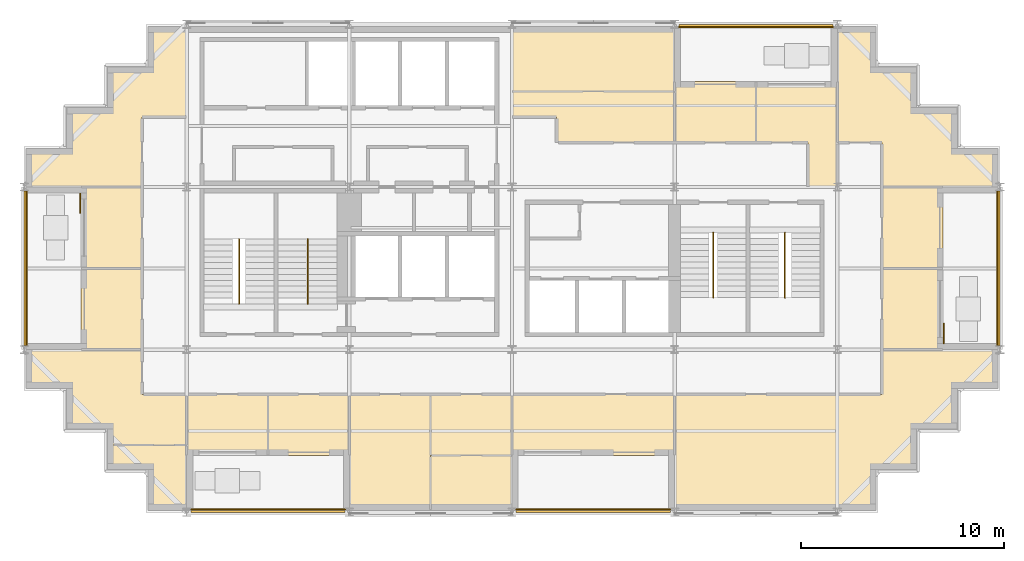
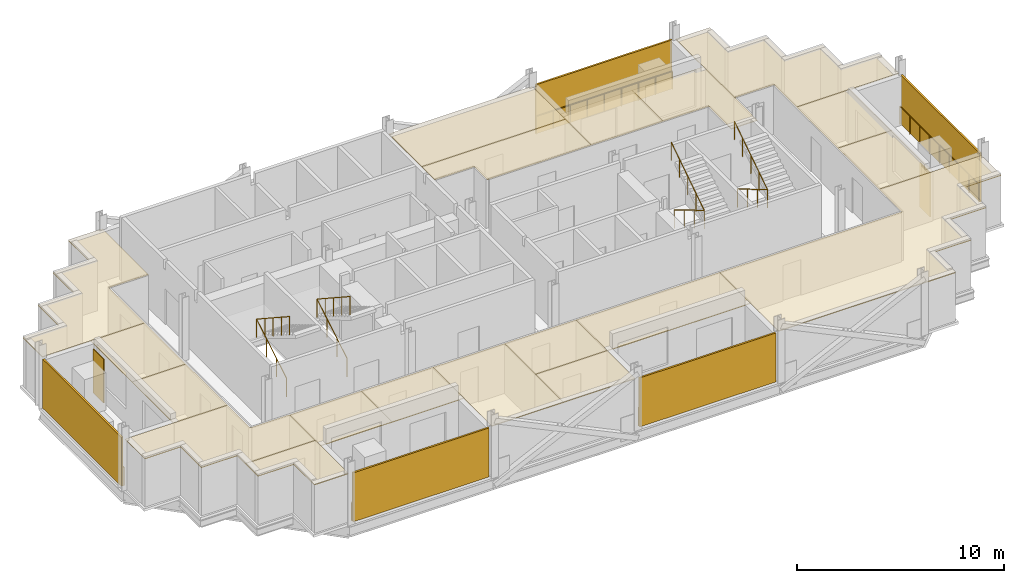
# One storey, part 9 of 10: 19 coverings, 9 railings, 7 shading devices.
"""IFC4 building model written with IfcOpenShell, lengths in metres."""

import ifcopenshell
import ifcopenshell.guid

model = None  # the IFC model being written
_history = None  # IfcOwnerHistory: only IFC2X3 demands one
_inside = {}  # id of a spatial element -> (the spatial element, [elements in it])
_under = {}  # id of a project, library or spatial element -> (it, [spatial elements below it])
_declared = {}  # id of a project -> (the project, [libraries it declares])
_typed = {}  # id of a type object -> (the type object, [elements of that type])
_made_of = {}  # id of a material, layer set ... -> (it, [elements and type objects made of it])


def new_model(schema):
    """Start an empty IFC model of exactly this schema.

    Asked for "IFC4X3", IfcOpenShell would pick the latest addendum, in which some entities
    have other attributes; the version numbers below select the first issue.
    IFC2X3 requires an IfcOwnerHistory on every rooted entity: one is made here for all.
    """
    global model, _history
    if schema == "IFC4X3":
        model = ifcopenshell.file(schema_version=(4, 3, 0, 0))
    else:
        model = ifcopenshell.file(schema=schema)
    _inside.clear()
    _under.clear()
    _declared.clear()
    _typed.clear()
    _made_of.clear()
    _history = None
    if model.schema == "IFC2X3":
        org = make("IfcOrganization", Name="unknown")
        user = make(
            "IfcPersonAndOrganization",
            ThePerson=make("IfcPerson", FamilyName="unknown"),
            TheOrganization=org,
        )
        app = make(
            "IfcApplication",
            ApplicationDeveloper=org,
            Version="unknown",
            ApplicationFullName="unknown",
            ApplicationIdentifier="unknown",
        )
        _history = make(
            "IfcOwnerHistory",
            OwningUser=user,
            OwningApplication=app,
            ChangeAction="ADDED",
            CreationDate=0,
        )
    return model


def make(cls, **values):
    """One entity of the class cls with the attributes given. An attribute that is None is left unset."""
    return model.create_entity(
        cls, **{name: value for name, value in values.items() if value is not None}
    )


def rooted(cls, **values):
    """An entity with a GlobalId (a new one), such as an element, a storey or a relation."""
    return make(cls, GlobalId=ifcopenshell.guid.new(), OwnerHistory=_history, **values)


def si_unit(unit_type, name, prefix=None):
    """IfcSIUnit, for example si_unit("LENGTHUNIT", "METRE", prefix="MILLI")."""
    return make("IfcSIUnit", UnitType=unit_type, Prefix=prefix, Name=name)


def assignment(units):
    """IfcUnitAssignment: the units of a project."""
    return None if units is None else make("IfcUnitAssignment", Units=units)


def point(xyz):
    """IfcCartesianPoint."""
    return None if xyz is None else make("IfcCartesianPoint", Coordinates=xyz)


def direction(xyz):
    """IfcDirection."""
    return None if xyz is None else make("IfcDirection", DirectionRatios=xyz)


def frame(location, z_axis=None, x_axis=None):
    """IfcAxis2Placement3D, a coordinate frame: its origin and axes. An axis left out is left unset."""
    return make(
        "IfcAxis2Placement3D",
        Location=point(location),
        Axis=direction(z_axis),
        RefDirection=direction(x_axis),
    )


def frame_2d(location, x_axis=None):
    """IfcAxis2Placement2D, a coordinate frame in the plane: its origin and x axis."""
    return make(
        "IfcAxis2Placement2D", Location=point(location), RefDirection=direction(x_axis)
    )


def origin():
    """The frame at (0, 0, 0) with its axes left unset."""
    return frame((0.0, 0.0, 0.0))


def origin_2d():
    """The frame at (0, 0) in the plane with its x axis left unset."""
    return frame_2d((0.0, 0.0))


def place(relative_to, where):
    """IfcLocalPlacement: puts the frame where relative to a parent placement (None: the world)."""
    return make(
        "IfcLocalPlacement", PlacementRelTo=relative_to, RelativePlacement=where
    )


def context(
    kind, dimensions, precision=None, world=None, true_north=None, identifier=None
):
    """IfcGeometricRepresentationContext, for example the 3D "Model" context."""
    return make(
        "IfcGeometricRepresentationContext",
        ContextIdentifier=identifier,
        ContextType=kind,
        CoordinateSpaceDimension=dimensions,
        Precision=precision,
        WorldCoordinateSystem=world,
        TrueNorth=true_north,
    )


def subcontext(parent, identifier, kind, view, scale=None):
    """IfcGeometricRepresentationSubContext, for example "Body" below "Model"."""
    return make(
        "IfcGeometricRepresentationSubContext",
        ContextIdentifier=identifier,
        ContextType=kind,
        ParentContext=parent,
        TargetScale=scale,
        TargetView=view,
    )


def project(units=None, contexts=None):
    """IfcProject with its units and contexts."""
    return rooted(
        "IfcProject",
        Name="project",
        RepresentationContexts=contexts,
        UnitsInContext=assignment(units),
    )


def spatial(cls, under=None, at=None, **own):
    """A site, building, storey or space (cls), placed at a placement, below another one or the project."""
    s = rooted(cls, ObjectPlacement=at, **own)
    if under is not None:
        _under.setdefault(under.id(), (under, []))[1].append(s)
    return s


def polyline(points):
    """IfcPolyline through the points."""
    return make("IfcPolyline", Points=[point(p) for p in points])


def profile(cls, at=None, kind="AREA", **sizes):
    """A parametric profile (cls). Its sizes go by their IFC names, for example OverallWidth=200.0."""
    return make(cls, ProfileType=kind, Position=at, **sizes)


def rectangle(**sizes):
    """IfcRectangleProfileDef."""
    return profile("IfcRectangleProfileDef", **sizes)


def circle(**sizes):
    """IfcCircleProfileDef."""
    return profile("IfcCircleProfileDef", **sizes)


def outline(outer, holes=None, kind="AREA"):
    """IfcArbitraryClosedProfileDef: a profile drawn as a closed curve; with holes, ...WithVoids."""
    if holes is None:
        return make("IfcArbitraryClosedProfileDef", ProfileType=kind, OuterCurve=outer)
    return make(
        "IfcArbitraryProfileDefWithVoids",
        ProfileType=kind,
        OuterCurve=outer,
        InnerCurves=holes,
    )


def extrude(swept, where, along, depth):
    """IfcExtrudedAreaSolid: the profile swept, set in the frame where, extruded along a direction by depth."""
    return make(
        "IfcExtrudedAreaSolid",
        SweptArea=swept,
        Position=where,
        ExtrudedDirection=direction(along),
        Depth=depth,
    )


def shape(context_of_items, identifier, shape_type, items):
    """IfcShapeRepresentation: the items that make up one representation, for example the "Body"."""
    return make(
        "IfcShapeRepresentation",
        ContextOfItems=context_of_items,
        RepresentationIdentifier=identifier,
        RepresentationType=shape_type,
        Items=items,
    )


def material(Name=None, Category=None):
    """IfcMaterial."""
    return make("IfcMaterial", Name=Name, Category=Category)


def layer(
    of_material, thickness, ventilated=None, Name=None, Category=None, Priority=None
):
    """IfcMaterialLayer: one layer of a wall or slab, of a material (None: an air gap)."""
    return make(
        "IfcMaterialLayer",
        Material=of_material,
        LayerThickness=thickness,
        IsVentilated=ventilated,
        Name=Name,
        Category=Category,
        Priority=Priority,
    )


def layer_set(layers, Name=None):
    """IfcMaterialLayerSet."""
    return make("IfcMaterialLayerSet", MaterialLayers=layers, LayerSetName=Name)


def made_of(thing, what):
    """Note that an element or type object is made of a material, layer set ...; save() writes the relation."""
    if what is not None:
        _made_of.setdefault(what.id(), (what, []))[1].append(thing)
    return thing


def type_object(cls, material=None, **own):
    """A type object (cls), such as IfcWallType, which elements share."""
    return made_of(rooted(cls, **own), material)


def element(
    cls,
    number,
    at=None,
    inside=None,
    cuts=None,
    type_object=None,
    material=None,
    context=None,
    identifier="Body",
    shape_type=None,
    held_by="IfcProductDefinitionShape",
    body=None,
    shapes=None,
    **own,
):
    """One element of the class cls, such as IfcWall. Its Tag is "e" and its number.

    at: its placement. inside: the storey or other place that contains it. cuts: it is an
    opening in that element (IfcRelVoidsElement). A single representation is given by context,
    identifier, shape_type and body (its items); several are given by shapes. held_by: the class
    of the entity that holds the representations. save() writes the other relations.
    """
    e = rooted(cls, Tag="e%d" % number, ObjectPlacement=at, **own)
    if body is not None:
        shapes = [shape(context, identifier, shape_type, body)]
    if shapes is not None:
        e.Representation = make(held_by, Representations=shapes)
    if inside is not None:
        _inside.setdefault(inside.id(), (inside, []))[1].append(e)
    if cuts is not None:
        rooted(
            "IfcRelVoidsElement", RelatingBuildingElement=cuts, RelatedOpeningElement=e
        )
    if type_object is not None:
        _typed.setdefault(type_object.id(), (type_object, []))[1].append(e)
    return made_of(e, material)


def aggregate(whole, parts):
    """IfcRelAggregates: a whole, such as a stair, and the parts it consists of."""
    return rooted("IfcRelAggregates", RelatingObject=whole, RelatedObjects=parts)


def save(model, path):
    """Write the relations noted so far, then the file.

    IfcRelAggregates (storeys below a building ...), IfcRelContainedInSpatialStructure (elements
    in a storey), IfcRelDefinesByType, IfcRelAssociatesMaterial and IfcRelDeclares: one each for
    every whole, place, type object, material and project.
    """
    for whole, parts in _under.values():
        aggregate(whole, parts)
    for where, things in _inside.values():
        rooted(
            "IfcRelContainedInSpatialStructure",
            RelatedElements=things,
            RelatingStructure=where,
        )
    for kind, things in _typed.values():
        rooted("IfcRelDefinesByType", RelatedObjects=things, RelatingType=kind)
    for what, things in _made_of.values():
        rooted("IfcRelAssociatesMaterial", RelatedObjects=things, RelatingMaterial=what)
    for by, libraries in _declared.values():
        rooted("IfcRelDeclares", RelatingContext=by, RelatedDefinitions=libraries)
    model.write(path)


model = new_model("IFC4")

# Units and contexts
model_context = context("Model", 3, precision=1e-05, world=origin(), true_north=direction((0.0, 1.0)))
body_context = subcontext(model_context, "Body", "Model", "MODEL_VIEW")
ifc_project = project(units=[si_unit("LENGTHUNIT", "METRE"), si_unit("AREAUNIT", "SQUARE_METRE"), si_unit("VOLUMEUNIT", "CUBIC_METRE"), si_unit("PLANEANGLEUNIT", "RADIAN"), si_unit("MASSUNIT", "GRAM", prefix="KILO")], contexts=[model_context])

# Site, building, storey
site_placement = place(None, origin())
site = spatial("IfcSite", under=ifc_project, at=site_placement, CompositionType="ELEMENT")
building_placement = place(site_placement, origin())
building = spatial("IfcBuilding", under=site, at=building_placement, Name="Immortelle Media Tower", CompositionType="ELEMENT")
storey_placement = place(building_placement, frame((0.0, 0.0, 237.0)))
storey = spatial("IfcBuildingStorey", under=building, at=storey_placement, Name="L51", CompositionType="ELEMENT", Elevation=237.0)

# Railings
ifc_material_1 = material(Name="Powder-coated aluminium fretwork panel, laminated glass backing", Category="aluminium")
railing_type_1 = type_object("IfcRailingType", Name="Fretwork balustrade 1100", PredefinedType="BALUSTRADE", material=ifc_material_1)
railing_1_placement = place(storey_placement, frame((8.199462890625, 0.139892578125, 0.0)))
element("IfcRailing", 1, at=railing_1_placement, inside=storey, type_object=railing_type_1, Name="Fretwork balustrade L51 S0", PredefinedType="BALUSTRADE", context=body_context, shape_type="SweptSolid", body=[
    extrude(circle(Radius=0.02490234375, at=origin_2d()), frame((0.0, 0.0, 1.0751953125), z_axis=(1.0, 0.0, 0.0), x_axis=(0.0, 1.0, 0.0)), (0.0, 0.0, 1.0), 7.59765625),
    extrude(circle(Radius=0.02001953125, at=origin_2d()), origin(), (0.0, 0.0, 1.0), 1.050048828125),
    extrude(circle(Radius=0.02001953125, at=origin_2d()), frame((0.94970703125, 0.0, 0.0)), (0.0, 0.0, 1.0), 1.050048828125),
    extrude(circle(Radius=0.02001953125, at=origin_2d()), frame((1.8994140625, 0.0, 0.0)), (0.0, 0.0, 1.0), 1.050048828125),
    extrude(circle(Radius=0.02001953125, at=origin_2d()), frame((2.84912109375, 0.0, 0.0)), (0.0, 0.0, 1.0), 1.050048828125),
    extrude(circle(Radius=0.02001953125, at=origin_2d()), frame((3.798828125, 0.0, 0.0)), (0.0, 0.0, 1.0), 1.050048828125),
    extrude(circle(Radius=0.02001953125, at=origin_2d()), frame((4.74853515625, 0.0, 0.0)), (0.0, 0.0, 1.0), 1.050048828125),
    extrude(circle(Radius=0.02001953125, at=origin_2d()), frame((5.6982421875, 0.0, 0.0)), (0.0, 0.0, 1.0), 1.050048828125),
    extrude(circle(Radius=0.02001953125, at=origin_2d()), frame((6.64794921875, 0.0, 0.0)), (0.0, 0.0, 1.0), 1.050048828125),
    extrude(circle(Radius=0.02001953125, at=origin_2d()), frame((7.59765625, 0.0, 0.0)), (0.0, 0.0, 1.0), 1.050048828125),
])
railing_2_placement = place(storey_placement, frame((24.202880859375, 0.139892578125, 0.0)))
element("IfcRailing", 2, at=railing_2_placement, inside=storey, type_object=railing_type_1, Name="Fretwork balustrade L51 S2", PredefinedType="BALUSTRADE", context=body_context, shape_type="SweptSolid", body=[
    extrude(circle(Radius=0.02490234375, at=origin_2d()), frame((0.0, 0.0, 1.0751953125), z_axis=(1.0, 0.0, 0.0), x_axis=(0.0, 1.0, 0.0)), (0.0, 0.0, 1.0), 7.59423828125),
    extrude(circle(Radius=0.02001953125, at=origin_2d()), origin(), (0.0, 0.0, 1.0), 1.050048828125),
    extrude(circle(Radius=0.02001953125, at=origin_2d()), frame((0.94921875, 0.0, 0.0)), (0.0, 0.0, 1.0), 1.050048828125),
    extrude(circle(Radius=0.02001953125, at=origin_2d()), frame((1.8984375, 0.0, 0.0)), (0.0, 0.0, 1.0), 1.050048828125),
    extrude(circle(Radius=0.02001953125, at=origin_2d()), frame((2.847900390625, 0.0, 0.0)), (0.0, 0.0, 1.0), 1.050048828125),
    extrude(circle(Radius=0.02001953125, at=origin_2d()), frame((3.797119140625, 0.0, 0.0)), (0.0, 0.0, 1.0), 1.050048828125),
    extrude(circle(Radius=0.02001953125, at=origin_2d()), frame((4.746337890625, 0.0, 0.0)), (0.0, 0.0, 1.0), 1.050048828125),
    extrude(circle(Radius=0.02001953125, at=origin_2d()), frame((5.69580078125, 0.0, 0.0)), (0.0, 0.0, 1.0), 1.050048828125),
    extrude(circle(Radius=0.02001953125, at=origin_2d()), frame((6.64501953125, 0.0, 0.0)), (0.0, 0.0, 1.0), 1.050048828125),
    extrude(circle(Radius=0.02001953125, at=origin_2d()), frame((7.59423828125, 0.0, 0.0)), (0.0, 0.0, 1.0), 1.050048828125),
])
railing_3_placement = place(storey_placement, frame((47.860107421875, 8.193115234375, 0.0)))
element("IfcRailing", 3, at=railing_3_placement, inside=storey, type_object=railing_type_1, Name="Fretwork balustrade L51 E0", PredefinedType="BALUSTRADE", context=body_context, shape_type="SweptSolid", body=[
    extrude(circle(Radius=0.02490234375, at=origin_2d()), frame((0.0, 0.0, 1.0751953125), z_axis=(0.0, 1.0, 0.0), x_axis=(-1.0, 0.0, 0.0)), (0.0, 0.0, 1.0), 7.61376953125),
    extrude(circle(Radius=0.02001953125, at=origin_2d()), origin(), (0.0, 0.0, 1.0), 1.050048828125),
    extrude(circle(Radius=0.02001953125, at=origin_2d()), frame((0.0, 0.95166015625, 0.0)), (0.0, 0.0, 1.0), 1.050048828125),
    extrude(circle(Radius=0.02001953125, at=origin_2d()), frame((0.0, 1.9033203125, 0.0)), (0.0, 0.0, 1.0), 1.050048828125),
    extrude(circle(Radius=0.02001953125, at=origin_2d()), frame((0.0, 2.855224609375, 0.0)), (0.0, 0.0, 1.0), 1.050048828125),
    extrude(circle(Radius=0.02001953125, at=origin_2d()), frame((0.0, 3.806884765625, 0.0)), (0.0, 0.0, 1.0), 1.050048828125),
    extrude(circle(Radius=0.02001953125, at=origin_2d()), frame((0.0, 4.758544921875, 0.0)), (0.0, 0.0, 1.0), 1.050048828125),
    extrude(circle(Radius=0.02001953125, at=origin_2d()), frame((0.0, 5.71044921875, 0.0)), (0.0, 0.0, 1.0), 1.050048828125),
    extrude(circle(Radius=0.02001953125, at=origin_2d()), frame((0.0, 6.662109375, 0.0)), (0.0, 0.0, 1.0), 1.050048828125),
    extrude(circle(Radius=0.02001953125, at=origin_2d()), frame((0.0, 7.61376953125, 0.0)), (0.0, 0.0, 1.0), 1.050048828125),
])
railing_4_placement = place(storey_placement, frame((39.800537109375, 23.860107421875, 0.0)))
element("IfcRailing", 4, at=railing_4_placement, inside=storey, type_object=railing_type_1, Name="Fretwork balustrade L51 N0", PredefinedType="BALUSTRADE", context=body_context, shape_type="SweptSolid", body=[
    extrude(circle(Radius=0.02490234375, at=origin_2d()), frame((0.0, 0.0, 1.0751953125), z_axis=(-1.0, 0.0, 0.0), x_axis=(0.0, -1.0, 0.0)), (0.0, 0.0, 1.0), 7.59765625),
    extrude(circle(Radius=0.02001953125, at=origin_2d()), origin(), (0.0, 0.0, 1.0), 1.050048828125),
    extrude(circle(Radius=0.02001953125, at=origin_2d()), frame((-0.94970703125, 0.0, 0.0)), (0.0, 0.0, 1.0), 1.050048828125),
    extrude(circle(Radius=0.02001953125, at=origin_2d()), frame((-1.8994140625, 0.0, 0.0)), (0.0, 0.0, 1.0), 1.050048828125),
    extrude(circle(Radius=0.02001953125, at=origin_2d()), frame((-2.84912109375, 0.0, 0.0)), (0.0, 0.0, 1.0), 1.050048828125),
    extrude(circle(Radius=0.02001953125, at=origin_2d()), frame((-3.798828125, 0.0, 0.0)), (0.0, 0.0, 1.0), 1.050048828125),
    extrude(circle(Radius=0.02001953125, at=origin_2d()), frame((-4.74853515625, 0.0, 0.0)), (0.0, 0.0, 1.0), 1.050048828125),
    extrude(circle(Radius=0.02001953125, at=origin_2d()), frame((-5.6982421875, 0.0, 0.0)), (0.0, 0.0, 1.0), 1.050048828125),
    extrude(circle(Radius=0.02001953125, at=origin_2d()), frame((-6.64794921875, 0.0, 0.0)), (0.0, 0.0, 1.0), 1.050048828125),
    extrude(circle(Radius=0.02001953125, at=origin_2d()), frame((-7.59765625, 0.0, 0.0)), (0.0, 0.0, 1.0), 1.050048828125),
])
railing_5_placement = place(storey_placement, frame((0.139892578125, 15.806884765625, 0.0)))
element("IfcRailing", 5, at=railing_5_placement, inside=storey, type_object=railing_type_1, Name="Fretwork balustrade L51 W0", PredefinedType="BALUSTRADE", context=body_context, shape_type="SweptSolid", body=[
    extrude(circle(Radius=0.02490234375, at=origin_2d()), frame((0.0, 0.0, 1.0751953125), z_axis=(0.0, -1.0, 0.0), x_axis=(1.0, 0.0, 0.0)), (0.0, 0.0, 1.0), 7.61376953125),
    extrude(circle(Radius=0.02001953125, at=origin_2d()), origin(), (0.0, 0.0, 1.0), 1.050048828125),
    extrude(circle(Radius=0.02001953125, at=origin_2d()), frame((0.0, -0.95166015625, 0.0)), (0.0, 0.0, 1.0), 1.050048828125),
    extrude(circle(Radius=0.02001953125, at=origin_2d()), frame((0.0, -1.9033203125, 0.0)), (0.0, 0.0, 1.0), 1.050048828125),
    extrude(circle(Radius=0.02001953125, at=origin_2d()), frame((0.0, -2.855224609375, 0.0)), (0.0, 0.0, 1.0), 1.050048828125),
    extrude(circle(Radius=0.02001953125, at=origin_2d()), frame((0.0, -3.806884765625, 0.0)), (0.0, 0.0, 1.0), 1.050048828125),
    extrude(circle(Radius=0.02001953125, at=origin_2d()), frame((0.0, -4.758544921875, 0.0)), (0.0, 0.0, 1.0), 1.050048828125),
    extrude(circle(Radius=0.02001953125, at=origin_2d()), frame((0.0, -5.71044921875, 0.0)), (0.0, 0.0, 1.0), 1.050048828125),
    extrude(circle(Radius=0.02001953125, at=origin_2d()), frame((0.0, -6.662109375, 0.0)), (0.0, 0.0, 1.0), 1.050048828125),
    extrude(circle(Radius=0.02001953125, at=origin_2d()), frame((0.0, -7.61376953125, 0.0)), (0.0, 0.0, 1.0), 1.050048828125),
])

# Shading devices
ifc_material_2 = material(Name="Pale aluminium louvre blades", Category="aluminium")
ifc_layer_1 = layer(ifc_material_2, 0.10009765625)
ifc_layer_set_1 = layer_set([ifc_layer_1], Name="Pale aluminium louvre blades")
shading_device_type_1 = type_object("IfcShadingDeviceType", Name="Jalousie screen 100", PredefinedType="JALOUSIE", material=ifc_layer_set_1)
shading_device_1_placement = place(storey_placement, frame((11.998291015625, 0.050048828125, 0.0), z_axis=(0.0, 0.0, 1.0), x_axis=(1.0, 0.0, 0.0)))
element("IfcShadingDevice", 6, at=shading_device_1_placement, inside=storey, type_object=shading_device_type_1, Name="Jalousie screen L51 S0", PredefinedType="JALOUSIE", context=body_context, shape_type="SweptSolid", body=[
    extrude(rectangle(XDim=7.597412109375, YDim=0.10009765625, at=origin_2d()), origin(), (0.0, 0.0, 1.0), 2.89111328125),
])
shading_device_2_placement = place(storey_placement, frame((28.0, 0.050048828125, 0.0), z_axis=(0.0, 0.0, 1.0), x_axis=(1.0, 0.0, 0.0)))
element("IfcShadingDevice", 7, at=shading_device_2_placement, inside=storey, type_object=shading_device_type_1, Name="Jalousie screen L51 S2", PredefinedType="JALOUSIE", context=body_context, shape_type="SweptSolid", body=[
    extrude(rectangle(XDim=7.593994140625, YDim=0.10009765625, at=origin_2d()), origin(), (0.0, 0.0, 1.0), 2.89111328125),
])
shading_device_3_placement = place(storey_placement, frame((47.949951171875, 12.0, 0.0), z_axis=(0.0, 0.0, 1.0), x_axis=(0.0, 1.0, 0.0)))
element("IfcShadingDevice", 8, at=shading_device_3_placement, inside=storey, type_object=shading_device_type_1, Name="Jalousie screen L51 E0", PredefinedType="JALOUSIE", context=body_context, shape_type="SweptSolid", body=[
    extrude(rectangle(XDim=7.614013671875, YDim=0.10009765625, at=origin_2d()), origin(), (0.0, 0.0, 1.0), 2.89111328125),
])
shading_device_4_placement = place(storey_placement, frame((36.001708984375, 23.949951171875, 0.0), z_axis=(0.0, 0.0, 1.0), x_axis=(-1.0, 0.0, 0.0)))
element("IfcShadingDevice", 9, at=shading_device_4_placement, inside=storey, type_object=shading_device_type_1, Name="Jalousie screen L51 N0", PredefinedType="JALOUSIE", context=body_context, shape_type="SweptSolid", body=[
    extrude(rectangle(XDim=7.597412109375, YDim=0.10009765625, at=origin_2d()), origin(), (0.0, 0.0, 1.0), 2.89111328125),
])
shading_device_5_placement = place(storey_placement, frame((0.050048828125, 12.0, 0.0), z_axis=(0.0, 0.0, 1.0), x_axis=(0.0, -1.0, 0.0)))
element("IfcShadingDevice", 10, at=shading_device_5_placement, inside=storey, type_object=shading_device_type_1, Name="Jalousie screen L51 W0", PredefinedType="JALOUSIE", context=body_context, shape_type="SweptSolid", body=[
    extrude(rectangle(XDim=7.614013671875, YDim=0.10009765625, at=origin_2d()), origin(), (0.0, 0.0, 1.0), 2.89111328125),
])
ifc_material_3 = material(Name="Pale aluminium louvre blades in a folding frame", Category="aluminium")
ifc_layer_2 = layer(ifc_material_3, 0.050048828125)
ifc_layer_set_2 = layer_set([ifc_layer_2], Name="Pale aluminium louvre blades in a folding frame")
shading_device_type_2 = type_object("IfcShadingDeviceType", Name="Louvred loggia shutter", PredefinedType="SHUTTER", material=ifc_layer_set_2)
for number, where, z_axis, x_axis, name in (
    (11, (45.22509765625, 8.800048828125, 0.0), (0.0, 0.0, 1.0), (0.0, 1.0, 0.0), "Loggia shutter L51 E0"),
    (12, (2.77490234375, 15.199951171875, 0.0), (0.0, 0.0, 1.0), (0.0, -1.0, 0.0), "Loggia shutter L51 W0"),
):
    element("IfcShadingDevice", number, at=place(storey_placement, frame(where, z_axis=z_axis, x_axis=x_axis)), inside=storey, type_object=shading_device_type_2, Name=name, PredefinedType="SHUTTER", context=body_context, shape_type="SweptSolid", body=[
        extrude(rectangle(XDim=1.0, YDim=0.050048828125, at=origin_2d()), origin(), (0.0, 0.0, 1.0), 2.60009765625),
    ])

# Railings
ifc_material_4 = material(Name="Stainless steel AISI 316", Category="steel")
railing_type_2 = type_object("IfcRailingType", Name="Stair guard 1100", PredefinedType="GUARDRAIL", material=ifc_material_4)
for number, where, name in (
    (13, (10.574951171875, 10.5400390625, 0.173828125), "Stair guard SW1"),
    (14, (13.949951171875, 10.5400390625, 0.173828125), "Stair guard SW2"),
):
    element("IfcRailing", number, at=place(storey_placement, frame(where)), inside=storey, type_object=railing_type_2, Name=name, PredefinedType="GUARDRAIL", context=body_context, shape_type="SweptSolid", body=[
        extrude(circle(Radius=0.02392578125, at=origin_2d()), frame((0.0, 0.0, 1.076171875), z_axis=(0.0, 0.857582100076, 0.514347102285), x_axis=(-1.0, 0.0, 0.0)), (0.0, 0.0, 1.0), 3.381591796875),
        extrude(circle(Radius=0.02392578125, at=origin_2d()), frame((0.0, 2.89990234375, 2.8154296875), z_axis=(0.0, -0.836827423118, 0.547466769693), x_axis=(1.0, 0.0, 0.0)), (0.0, 0.0, 1.0), 3.81201171875),
        extrude(circle(Radius=0.02099609375, at=origin_2d()), origin(), (0.0, 0.0, 1.0), 1.052001953125),
        extrude(circle(Radius=0.02099609375, at=origin_2d()), frame((0.0, 0.966552734375, 0.579833984375)), (0.0, 0.0, 1.0), 1.052001953125),
        extrude(circle(Radius=0.02099609375, at=origin_2d()), frame((0.0, 1.933349609375, 1.159423828125)), (0.0, 0.0, 1.0), 1.052001953125),
        extrude(circle(Radius=0.02099609375, at=origin_2d()), frame((0.0, 2.89990234375, 1.7392578125)), (0.0, 0.0, 1.0), 1.052001953125),
        extrude(circle(Radius=0.02099609375, at=origin_2d()), frame((0.0, 2.1025390625, 2.260986328125)), (0.0, 0.0, 1.0), 1.052001953125),
        extrude(circle(Radius=0.02099609375, at=origin_2d()), frame((0.0, 1.304931640625, 2.78271484375)), (0.0, 0.0, 1.0), 1.052001953125),
        extrude(circle(Radius=0.02099609375, at=origin_2d()), frame((0.0, 0.50732421875, 3.304443359375)), (0.0, 0.0, 1.0), 1.052001953125),
        extrude(circle(Radius=0.02099609375, at=origin_2d()), frame((0.0, -0.2900390625, 3.826171875)), (0.0, 0.0, 1.0), 1.052001953125),
    ])
for number, where, name in (
    (15, (33.89990234375, 13.4599609375, 0.173828125), "Stair guard SE1"),
    (16, (37.425048828125, 13.4599609375, 0.173828125), "Stair guard SE2"),
):
    element("IfcRailing", number, at=place(storey_placement, frame(where)), inside=storey, type_object=railing_type_2, Name=name, PredefinedType="GUARDRAIL", context=body_context, shape_type="SweptSolid", body=[
        extrude(circle(Radius=0.02392578125, at=origin_2d()), frame((0.0, 0.0, 1.076171875), z_axis=(0.0, -0.857582100076, 0.514347102285), x_axis=(1.0, 0.0, 0.0)), (0.0, 0.0, 1.0), 3.381591796875),
        extrude(circle(Radius=0.02392578125, at=origin_2d()), frame((0.0, -2.89990234375, 2.8154296875), z_axis=(0.0, 0.836827423118, 0.547466769693), x_axis=(-1.0, 0.0, 0.0)), (0.0, 0.0, 1.0), 3.81201171875),
        extrude(circle(Radius=0.02099609375, at=origin_2d()), origin(), (0.0, 0.0, 1.0), 1.052001953125),
        extrude(circle(Radius=0.02099609375, at=origin_2d()), frame((0.0, -0.966552734375, 0.579833984375)), (0.0, 0.0, 1.0), 1.052001953125),
        extrude(circle(Radius=0.02099609375, at=origin_2d()), frame((0.0, -1.933349609375, 1.159423828125)), (0.0, 0.0, 1.0), 1.052001953125),
        extrude(circle(Radius=0.02099609375, at=origin_2d()), frame((0.0, -2.89990234375, 1.7392578125)), (0.0, 0.0, 1.0), 1.052001953125),
        extrude(circle(Radius=0.02099609375, at=origin_2d()), frame((0.0, -2.1025390625, 2.260986328125)), (0.0, 0.0, 1.0), 1.052001953125),
        extrude(circle(Radius=0.02099609375, at=origin_2d()), frame((0.0, -1.304931640625, 2.78271484375)), (0.0, 0.0, 1.0), 1.052001953125),
        extrude(circle(Radius=0.02099609375, at=origin_2d()), frame((0.0, -0.50732421875, 3.304443359375)), (0.0, 0.0, 1.0), 1.052001953125),
        extrude(circle(Radius=0.02099609375, at=origin_2d()), frame((0.0, 0.2900390625, 3.826171875)), (0.0, 0.0, 1.0), 1.052001953125),
    ])

# Coverings
ifc_material_5 = material(Name="Mineral fibre tile ceiling")
ifc_layer_3 = layer(ifc_material_5, 0.050048828125)
ifc_layer_set_3 = layer_set([ifc_layer_3], Name="Mineral fibre tile ceiling")
covering_type = type_object("IfcCoveringType", Name="Suspended ceiling 50", PredefinedType="CEILING", material=ifc_layer_set_3)
covering_1_placement = place(storey_placement, frame((0.0, 0.0, 2.8349609375)))
element("IfcCovering", 17, at=covering_1_placement, inside=storey, type_object=covering_type, Name="Ceiling L51-001", PredefinedType="CEILING", context=body_context, shape_type="SweptSolid", body=[
    extrude(outline(polyline([(16.0, 2.800048828125), (16.0, 5.800048828125), (20.0, 5.800048828125), (20.0, 0.10009765625), (16.0, 0.10009765625), (16.0, 2.800048828125)])), origin(), (0.0, 0.0, 1.0), 0.050048828125),
])
covering_2_placement = place(storey_placement, frame((0.0, 0.0, 2.8349609375)))
element("IfcCovering", 18, at=covering_2_placement, inside=storey, type_object=covering_type, Name="Ceiling L51-002", PredefinedType="CEILING", context=body_context, shape_type="SweptSolid", body=[
    extrude(outline(polyline([(24.0, 2.800048828125), (20.0, 2.800048828125), (20.0, 5.800048828125), (24.0, 5.800048828125), (24.0, 2.800048828125)])), origin(), (0.0, 0.0, 1.0), 0.050048828125),
])
covering_3_placement = place(storey_placement, frame((0.0, 0.0, 2.8349609375)))
element("IfcCovering", 19, at=covering_3_placement, inside=storey, type_object=covering_type, Name="Ceiling L51-003", PredefinedType="CEILING", context=body_context, shape_type="SweptSolid", body=[
    extrude(outline(polyline([(24.0, 0.10009765625), (20.0, 0.10009765625), (20.0, 2.800048828125), (24.0, 2.800048828125), (24.0, 0.10009765625)])), origin(), (0.0, 0.0, 1.0), 0.050048828125),
])
covering_4_placement = place(storey_placement, frame((0.0, 0.0, 2.8349609375)))
element("IfcCovering", 20, at=covering_4_placement, inside=storey, type_object=covering_type, Name="Ceiling L51-004", PredefinedType="CEILING", context=body_context, shape_type="SweptSolid", body=[
    extrude(outline(polyline([(32.0, 2.800048828125), (32.0, 5.800048828125), (40.0, 5.800048828125), (42.199951171875, 5.800048828125), (42.199951171875, 8.0), (45.199951171875, 8.0), (47.89990234375, 8.0), (47.89990234375, 6.10009765625), (45.89990234375, 6.10009765625), (45.89990234375, 4.10009765625), (43.89990234375, 4.10009765625), (43.89990234375, 2.10009765625), (41.89990234375, 2.10009765625), (41.89990234375, 0.10009765625), (40.0, 0.10009765625), (32.0, 0.10009765625), (32.0, 2.800048828125)])), origin(), (0.0, 0.0, 1.0), 0.050048828125),
])
covering_5_placement = place(storey_placement, frame((0.0, 0.0, 2.8349609375)))
element("IfcCovering", 21, at=covering_5_placement, inside=storey, type_object=covering_type, Name="Ceiling L51-005", PredefinedType="CEILING", context=body_context, shape_type="SweptSolid", body=[
    extrude(outline(polyline([(8.0, 5.800048828125), (12.0, 5.800048828125), (12.0, 2.800048828125), (8.0, 2.800048828125), (8.0, 5.800048828125)])), origin(), (0.0, 0.0, 1.0), 0.050048828125),
])
covering_6_placement = place(storey_placement, frame((0.0, 0.0, 2.8349609375)))
element("IfcCovering", 22, at=covering_6_placement, inside=storey, type_object=covering_type, Name="Ceiling L51-006", PredefinedType="CEILING", context=body_context, shape_type="SweptSolid", body=[
    extrude(outline(polyline([(16.0, 5.800048828125), (16.0, 2.800048828125), (12.0, 2.800048828125), (12.0, 5.800048828125), (16.0, 5.800048828125)])), origin(), (0.0, 0.0, 1.0), 0.050048828125),
])
covering_7_placement = place(storey_placement, frame((0.0, 0.0, 2.8349609375)))
element("IfcCovering", 23, at=covering_7_placement, inside=storey, type_object=covering_type, Name="Ceiling L51-007", PredefinedType="CEILING", context=body_context, shape_type="SweptSolid", body=[
    extrude(outline(polyline([(24.0, 2.800048828125), (24.0, 5.800048828125), (26.199951171875, 5.800048828125), (32.0, 5.800048828125), (32.0, 2.800048828125), (24.0, 2.800048828125)])), origin(), (0.0, 0.0, 1.0), 0.050048828125),
])
covering_8_placement = place(storey_placement, frame((0.0, 0.0, 2.8349609375)))
element("IfcCovering", 24, at=covering_8_placement, inside=storey, type_object=covering_type, Name="Ceiling L51-008", PredefinedType="CEILING", context=body_context, shape_type="SweptSolid", body=[
    extrude(outline(polyline([(4.10009765625, 4.10009765625), (4.0, 4.10009765625), (2.10009765625, 4.10009765625), (2.10009765625, 6.10009765625), (0.10009765625, 6.10009765625), (0.10009765625, 8.0), (2.800048828125, 8.0), (4.0, 8.0), (5.800048828125, 8.0), (5.800048828125, 5.800048828125), (8.0, 5.800048828125), (8.0, 3.300048828125), (4.10009765625, 3.300048828125), (4.10009765625, 4.10009765625)])), origin(), (0.0, 0.0, 1.0), 0.050048828125),
])
covering_9_placement = place(storey_placement, frame((0.0, 0.0, 2.8349609375)))
element("IfcCovering", 25, at=covering_9_placement, inside=storey, type_object=covering_type, Name="Ceiling L51-009", PredefinedType="CEILING", context=body_context, shape_type="SweptSolid", body=[
    extrude(outline(polyline([(4.10009765625, 3.300048828125), (8.0, 3.300048828125), (8.0, 2.800048828125), (8.0, 0.10009765625), (6.10009765625, 0.10009765625), (6.10009765625, 2.10009765625), (4.10009765625, 2.10009765625), (4.10009765625, 3.300048828125)])), origin(), (0.0, 0.0, 1.0), 0.050048828125),
])
covering_10_placement = place(storey_placement, frame((0.0, 0.0, 2.8349609375)))
element("IfcCovering", 26, at=covering_10_placement, inside=storey, type_object=covering_type, Name="Ceiling L51-010", PredefinedType="CEILING", context=body_context, shape_type="SweptSolid", body=[
    extrude(outline(polyline([(2.800048828125, 8.0), (2.800048828125, 12.0), (5.800048828125, 12.0), (5.800048828125, 8.0), (2.800048828125, 8.0)])), origin(), (0.0, 0.0, 1.0), 0.050048828125),
])
covering_11_placement = place(storey_placement, frame((0.0, 0.0, 2.8349609375)))
element("IfcCovering", 27, at=covering_11_placement, inside=storey, type_object=covering_type, Name="Ceiling L51-011", PredefinedType="CEILING", context=body_context, shape_type="SweptSolid", body=[
    extrude(outline(polyline([(2.800048828125, 16.0), (5.800048828125, 16.0), (5.800048828125, 12.0), (2.800048828125, 12.0), (2.800048828125, 16.0)])), origin(), (0.0, 0.0, 1.0), 0.050048828125),
])
covering_12_placement = place(storey_placement, frame((0.0, 0.0, 2.8349609375)))
element("IfcCovering", 28, at=covering_12_placement, inside=storey, type_object=covering_type, Name="Ceiling L51-012", PredefinedType="CEILING", context=body_context, shape_type="SweptSolid", body=[
    extrude(outline(polyline([(42.199951171875, 8.0), (42.199951171875, 12.0), (45.199951171875, 12.0), (45.199951171875, 8.0), (42.199951171875, 8.0)])), origin(), (0.0, 0.0, 1.0), 0.050048828125),
])
covering_13_placement = place(storey_placement, frame((0.0, 0.0, 2.8349609375)))
element("IfcCovering", 29, at=covering_13_placement, inside=storey, type_object=covering_type, Name="Ceiling L51-013", PredefinedType="CEILING", context=body_context, shape_type="SweptSolid", body=[
    extrude(outline(polyline([(42.199951171875, 16.0), (45.199951171875, 16.0), (45.199951171875, 12.0), (42.199951171875, 12.0), (42.199951171875, 16.0)])), origin(), (0.0, 0.0, 1.0), 0.050048828125),
])
covering_14_placement = place(storey_placement, frame((0.0, 0.0, 2.8349609375)))
element("IfcCovering", 30, at=covering_14_placement, inside=storey, type_object=covering_type, Name="Ceiling L51-014", PredefinedType="CEILING", context=body_context, shape_type="SweptSolid", body=[
    extrude(outline(polyline([(2.800048828125, 16.0), (0.10009765625, 16.0), (0.10009765625, 17.89990234375), (2.10009765625, 17.89990234375), (2.10009765625, 19.89990234375), (4.10009765625, 19.89990234375), (4.10009765625, 20.0), (4.10009765625, 21.89990234375), (6.10009765625, 21.89990234375), (6.10009765625, 23.89990234375), (8.0, 23.89990234375), (8.0, 20.0), (8.0, 19.449951171875), (5.800048828125, 19.449951171875), (5.800048828125, 16.0), (2.800048828125, 16.0)])), origin(), (0.0, 0.0, 1.0), 0.050048828125),
])
covering_15_placement = place(storey_placement, frame((0.0, 0.0, 2.8349609375)))
element("IfcCovering", 31, at=covering_15_placement, inside=storey, type_object=covering_type, Name="Ceiling L51-015", PredefinedType="CEILING", context=body_context, shape_type="SweptSolid", body=[
    extrude(outline(polyline([(45.89990234375, 19.89990234375), (45.89990234375, 17.89990234375), (47.89990234375, 17.89990234375), (47.89990234375, 16.0), (45.199951171875, 16.0), (44.0, 16.0), (42.199951171875, 16.0), (42.199951171875, 18.199951171875), (40.0, 18.199951171875), (40.0, 21.199951171875), (40.0, 23.89990234375), (41.89990234375, 23.89990234375), (41.89990234375, 21.89990234375), (43.89990234375, 21.89990234375), (43.89990234375, 19.89990234375), (44.0, 19.89990234375), (45.89990234375, 19.89990234375)])), origin(), (0.0, 0.0, 1.0), 0.050048828125),
])
covering_16_placement = place(storey_placement, frame((0.0, 0.0, 2.8349609375)))
element("IfcCovering", 32, at=covering_16_placement, inside=storey, type_object=covering_type, Name="Ceiling L51-016", PredefinedType="CEILING", context=body_context, shape_type="SweptSolid", body=[
    extrude(outline(polyline([(32.0, 18.199951171875), (32.0, 21.199951171875), (36.0, 21.199951171875), (36.0, 18.199951171875), (32.0, 18.199951171875)])), origin(), (0.0, 0.0, 1.0), 0.050048828125),
])
covering_17_placement = place(storey_placement, frame((0.0, 0.0, 2.8349609375)))
element("IfcCovering", 33, at=covering_17_placement, inside=storey, type_object=covering_type, Name="Ceiling L51-017", PredefinedType="CEILING", context=body_context, shape_type="SweptSolid", body=[
    extrude(outline(polyline([(38.550048828125, 18.199951171875), (36.0, 18.199951171875), (36.0, 21.199951171875), (40.0, 21.199951171875), (40.0, 18.199951171875), (40.0, 16.0), (38.550048828125, 16.0), (38.550048828125, 18.199951171875)])), origin(), (0.0, 0.0, 1.0), 0.050048828125),
])
covering_18_placement = place(storey_placement, frame((0.0, 0.0, 2.8349609375)))
element("IfcCovering", 34, at=covering_18_placement, inside=storey, type_object=covering_type, Name="Ceiling L51-018", PredefinedType="CEILING", context=body_context, shape_type="SweptSolid", body=[
    extrude(outline(polyline([(26.199951171875, 18.199951171875), (26.199951171875, 19.449951171875), (24.0, 19.449951171875), (24.0, 20.699951171875), (32.0, 20.699951171875), (32.0, 18.199951171875), (27.0, 18.199951171875), (26.199951171875, 18.199951171875)])), origin(), (0.0, 0.0, 1.0), 0.050048828125),
])
covering_19_placement = place(storey_placement, frame((0.0, 0.0, 2.8349609375)))
element("IfcCovering", 35, at=covering_19_placement, inside=storey, type_object=covering_type, Name="Ceiling L51-019", PredefinedType="CEILING", context=body_context, shape_type="SweptSolid", body=[
    extrude(outline(polyline([(24.0, 21.199951171875), (24.0, 23.89990234375), (32.0, 23.89990234375), (32.0, 21.199951171875), (32.0, 20.699951171875), (24.0, 20.699951171875), (24.0, 21.199951171875)])), origin(), (0.0, 0.0, 1.0), 0.050048828125),
])

save(model, "model.ifc")
